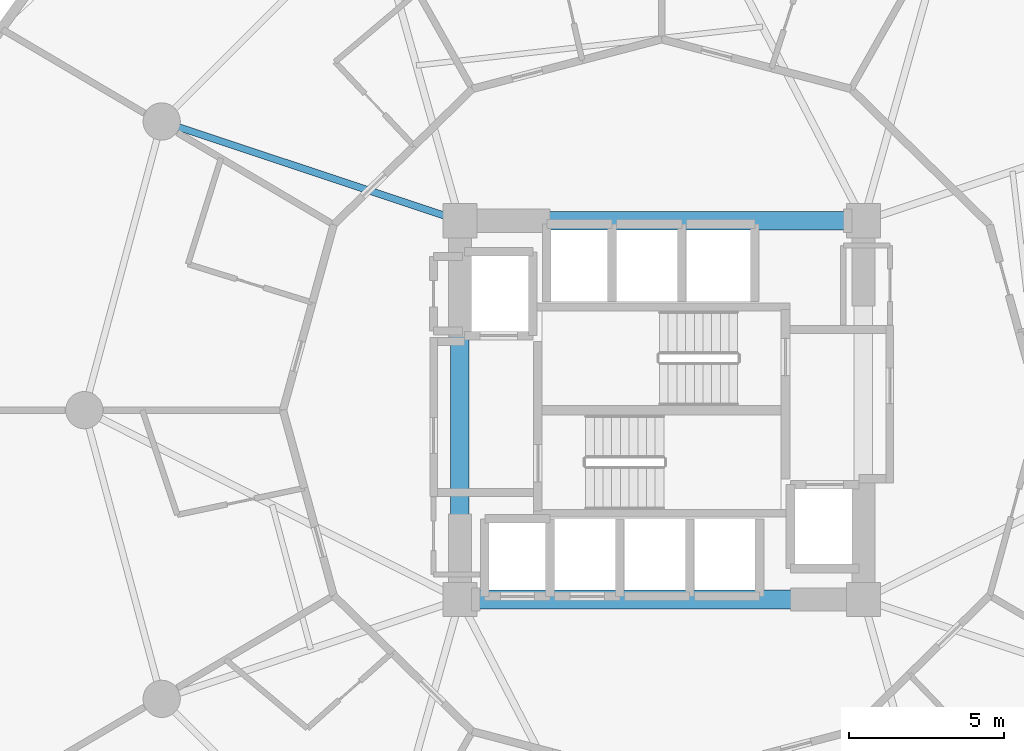
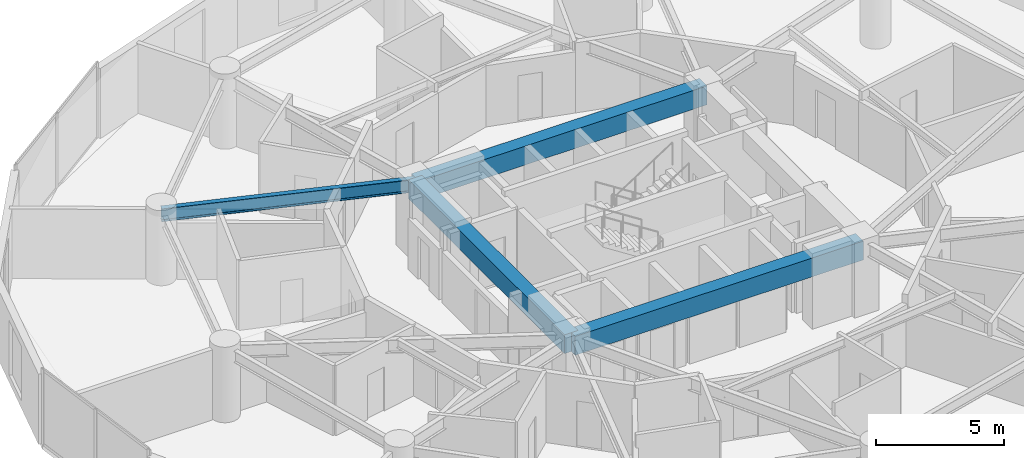
# One storey, part 7 of 26: 4 beams.
"""IFC4 building model written with IfcOpenShell, lengths in metres."""

from ifc_helpers import new_model, si_unit, direction, frame, origin, origin_2d, place, context, subcontext, project, spatial, rectangle, i_section, extrude, material, material_profile, profile_set, type_object, element, save


model = new_model("IFC4")

# Units and contexts
model_context = context("Model", 3, precision=1e-05, world=origin(), true_north=direction((0.0, 1.0)))
body_context = subcontext(model_context, "Body", "Model", "MODEL_VIEW")
ifc_project = project(units=[si_unit("LENGTHUNIT", "METRE"), si_unit("AREAUNIT", "SQUARE_METRE"), si_unit("VOLUMEUNIT", "CUBIC_METRE"), si_unit("PLANEANGLEUNIT", "RADIAN"), si_unit("MASSUNIT", "GRAM", prefix="KILO")], contexts=[model_context])

# Site, building, storey
site_placement = place(None, origin())
site = spatial("IfcSite", under=ifc_project, at=site_placement, CompositionType="ELEMENT")
building_placement = place(site_placement, origin())
building = spatial("IfcBuilding", under=site, at=building_placement, Name="Solvirekh Grand Hotel", CompositionType="ELEMENT")
storey_placement = place(building_placement, frame((0.0, 0.0, 35.60009765625)))
storey = spatial("IfcBuildingStorey", under=building, at=storey_placement, Name="L07", CompositionType="ELEMENT", Elevation=35.60009765625)

# Beams
ifc_material_1 = material(Name="Concrete C50/60", Category="concrete")
ifc_material_profile_1 = material_profile(ifc_material_1, rectangle(XDim=0.60009765625, YDim=0.89990234375, at=origin_2d()), Name="RC BEAM 600X900")
ifc_profile_set_1 = profile_set([ifc_material_profile_1], Name="Concrete C50/60")
beam_type_1 = type_object("IfcBeamType", Name="Beam_Core_RC900", PredefinedType="BEAM", material=ifc_profile_set_1)
for number, where, z_axis, x_axis, name in (
    (1, (-6.5, -6.10009765625, 2.889892578125), (1.0, 0.0, 0.0), (0.0, 1.0, 0.0), "L07 core coupling ring beam 1"),
    (2, (6.5, 6.10009765625, 2.889892578125), (-1.0, 0.0, 0.0), (0.0, -1.0, 0.0), "L07 core coupling ring beam 3"),
):
    element("IfcBeam", number, at=place(storey_placement, frame(where, z_axis=z_axis, x_axis=x_axis)), inside=storey, type_object=beam_type_1, Name=name, PredefinedType="BEAM", context=body_context, shape_type="SweptSolid", body=[
        extrude(rectangle(XDim=0.60009765625, YDim=0.89990234375, at=origin_2d()), origin(), (0.0, 0.0, 1.0), 13.0),
    ])
beam_1_placement = place(storey_placement, frame((-6.5, 6.10009765625, 2.889892578125), z_axis=(0.0, -1.0, 0.0), x_axis=(1.0, 0.0, 0.0)))
element("IfcBeam", 3, at=beam_1_placement, inside=storey, type_object=beam_type_1, Name="L07 core coupling ring beam 4", PredefinedType="BEAM", context=body_context, shape_type="SweptSolid", body=[
    extrude(rectangle(XDim=0.60009765625, YDim=0.89990234375, at=origin_2d()), origin(), (0.0, 0.0, 1.0), 12.2001953125),
])
ifc_material_2 = material(Name="Steel S355", Category="steel")
ifc_material_profile_2 = material_profile(ifc_material_2, i_section(OverallWidth=0.22802734375, OverallDepth=0.616943359375, WebThickness=0.012939453125, FlangeThickness=0.02001953125, FilletRadius=0.014892578125, at=origin_2d()), Name="W610X140")
ifc_profile_set_2 = profile_set([ifc_material_profile_2], Name="Steel S355")
beam_type_2 = type_object("IfcBeamType", Name="Beam_Radial_W610", PredefinedType="BEAM", material=ifc_profile_set_2)
beam_2_placement = place(storey_placement, frame((-6.5, 6.10009765625, 3.031005859375), z_axis=(-0.948762825819, 0.315989082635, 0.0), x_axis=(-0.315989082635, -0.948762825819, 0.0)))
element("IfcBeam", 4, at=beam_2_placement, inside=storey, type_object=beam_type_2, Name="L07 radial floor beam R06", PredefinedType="BEAM", context=body_context, shape_type="SweptSolid", body=[
    extrude(i_section(OverallWidth=0.22802734375, OverallDepth=0.616943359375, WebThickness=0.012939453125, FlangeThickness=0.02001953125, FilletRadius=0.014892578125, at=origin_2d()), origin(), (0.0, 0.0, 1.0), 10.126708984375),
])

save(model, "model.ifc")
